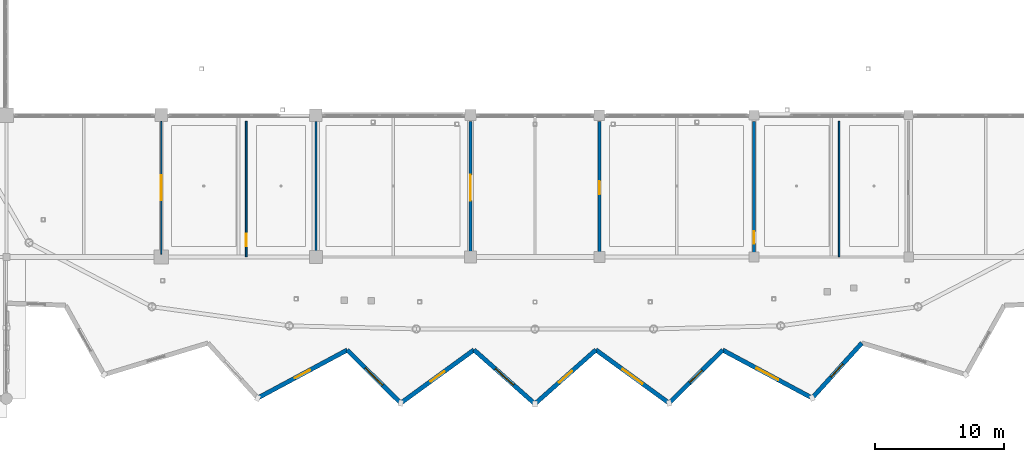
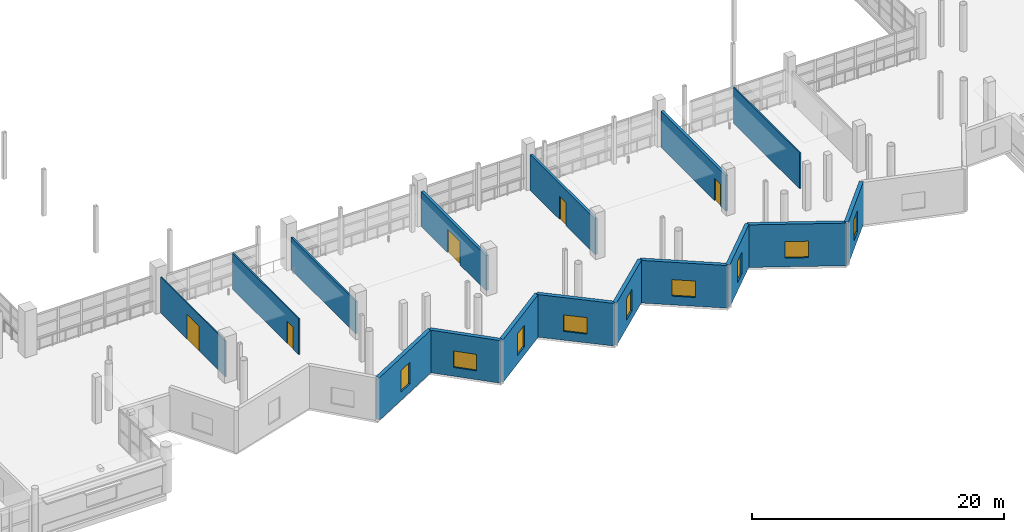
# One storey, part 82 of 118: 16 walls, 9 windows, 5 doors, 14 openings.
"""IFC4 building model written with IfcOpenShell, lengths in metres."""

from ifc_helpers import new_model, si_unit, direction, frame, frame_2d, origin, place, context, subcontext, project, spatial, rectangle, extrude, material, layer, layer_set, type_object, element, fill, save


model = new_model("IFC4")

# Units and contexts
model_context = context("Model", 3, precision=1e-05, world=origin(), true_north=direction((0.0, 1.0)))
body_context = subcontext(model_context, "Body", "Model", "MODEL_VIEW")
ifc_project = project(units=[si_unit("LENGTHUNIT", "METRE"), si_unit("AREAUNIT", "SQUARE_METRE"), si_unit("VOLUMEUNIT", "CUBIC_METRE"), si_unit("PLANEANGLEUNIT", "RADIAN"), si_unit("MASSUNIT", "GRAM", prefix="KILO")], contexts=[model_context])

# Site, building, storey
site_placement = place(None, origin())
site = spatial("IfcSite", under=ifc_project, at=site_placement, CompositionType="ELEMENT")
building_placement = place(site_placement, origin())
building = spatial("IfcBuilding", under=site, at=building_placement, Name="Luwafu Chhajja Arena", CompositionType="ELEMENT")
storey_placement = place(building_placement, frame((0.0, 0.0, 10.199951171875)))
storey = spatial("IfcBuildingStorey", under=building, at=storey_placement, Name="L02", CompositionType="ELEMENT", Elevation=10.199951171875)

# Wall
ifc_material_1 = material(Name="Moisture-resistant masonry blockwork", Category="masonry")
ifc_layer_1 = layer(ifc_material_1, 0.159912109375, Name="Moisture-resistant masonry blockwork")
ifc_layer_set_1 = layer_set([ifc_layer_1], Name="Moisture-resistant masonry blockwork")
wall_type_1 = type_object("IfcWallType", Name="Athlete Wet-Area Partition 160", PredefinedType="PARTITIONING", material=ifc_layer_set_1)
wall_1_placement = place(storey_placement, frame((82.0, 11.219970703125, 0.0), z_axis=(0.0, 0.0, 1.0), x_axis=(0.0, 1.0, 0.0)))
element("IfcWall", 1, at=wall_1_placement, inside=storey, type_object=wall_type_1, Name="L02 Internal Partition 0288", PredefinedType="PARTITIONING", context=body_context, shape_type="SweptSolid", body=[
    extrude(rectangle(XDim=10.300048828125, YDim=0.159912109375, at=frame_2d((5.14990234375, 0.0))), origin(), (0.0, 0.0, 1.0), 3.14013671875),
])

# Wall, opening, door
ifc_material_2 = material(Name="Concrete blockwork masonry", Category="masonry")
ifc_layer_2 = layer(ifc_material_2, 0.239990234375, Name="Concrete blockwork masonry")
ifc_layer_set_2 = layer_set([ifc_layer_2], Name="Concrete blockwork masonry")
wall_type_2 = type_object("IfcWallType", Name="Compartment Masonry Partition 240", PredefinedType="PARTITIONING", material=ifc_layer_set_2)
wall_2_placement = place(storey_placement, frame((94.0, 11.219970703125, 0.0), z_axis=(0.0, 0.0, 1.0), x_axis=(0.0, 1.0, 0.0)))
wall_2 = element("IfcWall", 2, at=wall_2_placement, inside=storey, type_object=wall_type_2, Name="L02 Internal Partition 0278", PredefinedType="PARTITIONING", context=body_context, shape_type="SweptSolid", body=[
    extrude(rectangle(XDim=10.300048828125, YDim=0.239990234375, at=frame_2d((5.14990234375, 0.0))), origin(), (0.0, 0.0, 1.0), 3.39013671875),
])
opening_1_placement = place(wall_2_placement, frame((4.14990234375, 0.0, 0.0)))
opening_1 = element("IfcOpeningElement", 3, at=opening_1_placement, cuts=wall_2, Name="Opening DR-08", PredefinedType="OPENING", context=body_context, shape_type="SweptSolid", body=[
    extrude(rectangle(XDim=2.0, YDim=2.25, at=frame_2d((1.0, 1.125))), frame((0.0, 0.1298828125, 0.0), z_axis=(0.0, -1.0, 0.0), x_axis=(1.0, 0.0, 0.0)), (0.0, 0.0, 1.0), 0.260009765625),
])
ifc_material_3 = material(Name="Fire-rated hardwood double leaf", Category="wood")
door_type_1 = type_object("IfcDoorType", Name="DR-08", OperationType="DOUBLE_DOOR_SINGLE_SWING", PredefinedType="DOOR", material=ifc_material_3)
door_1_placement = place(opening_1_placement, origin())
door_1 = element("IfcDoor", 4, at=door_1_placement, inside=storey, type_object=door_type_1, Name="L02 Interior Door L02-D036", OperationType="DOUBLE_DOOR_SINGLE_SWING", OverallHeight=2.25, OverallWidth=2.0, PredefinedType="DOOR", context=body_context, shape_type="SweptSolid", body=[
    extrude(rectangle(XDim=2.0, YDim=2.25, at=frame_2d((1.0, 1.125))), frame((0.0, 0.02490234375, 0.0), z_axis=(0.0, -1.0, 0.0), x_axis=(1.0, 0.0, 0.0)), (0.0, 0.0, 1.0), 0.050048828125),
])
fill(opening_1, door_1)

wall_3_placement = place(storey_placement, frame((116.0, 11.219970703125, 0.0), z_axis=(0.0, 0.0, 1.0), x_axis=(0.0, 1.0, 0.0)))
wall_3 = element("IfcWall", 5, at=wall_3_placement, inside=storey, type_object=wall_type_2, Name="L02 Internal Partition 0289", PredefinedType="PARTITIONING", context=body_context, shape_type="SweptSolid", body=[
    extrude(rectangle(XDim=10.300048828125, YDim=0.239990234375, at=frame_2d((5.14990234375, 0.0))), origin(), (0.0, 0.0, 1.0), 3.489990234375),
])
opening_2_placement = place(wall_3_placement, frame((0.8173828125, 0.0, 0.0)))
opening_2 = element("IfcOpeningElement", 6, at=opening_2_placement, cuts=wall_3, Name="Opening DR-17", PredefinedType="OPENING", context=body_context, shape_type="SweptSolid", body=[
    extrude(rectangle(XDim=0.93994140625, YDim=2.14990234375, at=frame_2d((0.469970703125, 1.074951171875))), frame((0.0, 0.1298828125, 0.0), z_axis=(0.0, -1.0, 0.0), x_axis=(1.0, 0.0, 0.0)), (0.0, 0.0, 1.0), 0.260009765625),
])
ifc_material_4 = material(Name="Acoustic steel-core timber door", Category="steel")
door_type_2 = type_object("IfcDoorType", Name="DR-17", OperationType="NOTDEFINED", PredefinedType="DOOR", material=ifc_material_4)
door_2_placement = place(opening_2_placement, origin())
door_2 = element("IfcDoor", 7, at=door_2_placement, inside=storey, type_object=door_type_2, Name="L02 Interior Door L02-D044", OperationType="SINGLE_SWING_RIGHT", OverallHeight=2.14990234375, OverallWidth=0.93994140625, PredefinedType="DOOR", context=body_context, shape_type="SweptSolid", body=[
    extrude(rectangle(XDim=0.93994140625, YDim=2.14990234375, at=frame_2d((0.469970703125, 1.074951171875))), frame((0.0, 0.02490234375, 0.0), z_axis=(0.0, -1.0, 0.0), x_axis=(1.0, 0.0, 0.0)), (0.0, 0.0, 1.0), 0.050048828125),
])
fill(opening_2, door_2)

ifc_material_5 = material(Name="Gypsum plasterboard partition")
ifc_layer_3 = layer(ifc_material_5, 0.10009765625, Name="Gypsum plasterboard partition")
ifc_layer_set_3 = layer_set([ifc_layer_3], Name="Gypsum plasterboard partition")
wall_type_3 = type_object("IfcWallType", Name="Drywall Lining Partition 100", PredefinedType="PARTITIONING", material=ifc_layer_set_3)
wall_4_placement = place(storey_placement, frame((70.0, 11.219970703125, 0.0), z_axis=(0.0, 0.0, 1.0), x_axis=(0.0, 1.0, 0.0)))
wall_4 = element("IfcWall", 8, at=wall_4_placement, inside=storey, type_object=wall_type_3, Name="L02 Internal Partition 0277", PredefinedType="PARTITIONING", context=body_context, shape_type="SweptSolid", body=[
    extrude(rectangle(XDim=10.300048828125, YDim=0.10009765625, at=frame_2d((5.14990234375, 0.0))), origin(), (0.0, 0.0, 1.0), 3.489990234375),
])
opening_3_placement = place(wall_4_placement, frame((4.175048828125, 0.0, 0.0)))
opening_3 = element("IfcOpeningElement", 9, at=opening_3_placement, cuts=wall_4, Name="Opening DR-25", PredefinedType="OPENING", context=body_context, shape_type="SweptSolid", body=[
    extrude(rectangle(XDim=1.949951171875, YDim=2.39990234375, at=frame_2d((0.97509765625, 1.199951171875))), frame((0.0, 0.06005859375, 0.0), z_axis=(0.0, -1.0, 0.0), x_axis=(1.0, 0.0, 0.0)), (0.0, 0.0, 1.0), 0.1201171875),
])
ifc_material_6 = material(Name="Anodised bronze glazed double door")
door_type_3 = type_object("IfcDoorType", Name="DR-25", OperationType="DOUBLE_DOOR_SINGLE_SWING", PredefinedType="DOOR", material=ifc_material_6)
door_3_placement = place(opening_3_placement, origin())
door_3 = element("IfcDoor", 10, at=door_3_placement, inside=storey, type_object=door_type_3, Name="L02 Interior Door L02-D035", OperationType="DOUBLE_DOOR_SINGLE_SWING", OverallHeight=2.39990234375, OverallWidth=1.949951171875, PredefinedType="DOOR", context=body_context, shape_type="SweptSolid", body=[
    extrude(rectangle(XDim=1.949951171875, YDim=2.39990234375, at=frame_2d((0.97509765625, 1.199951171875))), frame((0.0, 0.02490234375, 0.0), z_axis=(0.0, -1.0, 0.0), x_axis=(1.0, 0.0, 0.0)), (0.0, 0.0, 1.0), 0.050048828125),
])
fill(opening_3, door_3)

ifc_material_7 = material(Name="Acoustic metal-stud gypsum board")
ifc_layer_4 = layer(ifc_material_7, 0.1201171875, Name="Acoustic metal-stud gypsum board")
ifc_layer_set_4 = layer_set([ifc_layer_4], Name="Acoustic metal-stud gypsum board")
wall_type_4 = type_object("IfcWallType", Name="Internal Room Partition 120", PredefinedType="PARTITIONING", material=ifc_layer_set_4)
wall_5_placement = place(storey_placement, frame((76.60009765625, 11.0, 0.0), z_axis=(0.0, 0.0, 1.0), x_axis=(0.0, 1.0, 0.0)))
wall_5 = element("IfcWall", 11, at=wall_5_placement, inside=storey, type_object=wall_type_4, Name="L02 Internal Partition 0287", PredefinedType="PARTITIONING", context=body_context, shape_type="SweptSolid", body=[
    extrude(rectangle(XDim=10.52001953125, YDim=0.1201171875, at=frame_2d((5.260009765625, 0.0))), origin(), (0.0, 0.0, 1.0), 3.489990234375),
])
opening_4_placement = place(wall_5_placement, frame((0.8349609375, 0.0, 0.0)))
opening_4 = element("IfcOpeningElement", 12, at=opening_4_placement, cuts=wall_5, Name="Opening DR-22", PredefinedType="OPENING", context=body_context, shape_type="SweptSolid", body=[
    extrude(rectangle(XDim=0.9599609375, YDim=2.14990234375, at=frame_2d((0.47998046875, 1.074951171875))), frame((0.0, 0.070068359375, 0.0), z_axis=(0.0, -1.0, 0.0), x_axis=(1.0, 0.0, 0.0)), (0.0, 0.0, 1.0), 0.14013671875),
])
ifc_material_8 = material(Name="Hardwood flush office door", Category="wood")
door_type_4 = type_object("IfcDoorType", Name="DR-22", OperationType="NOTDEFINED", PredefinedType="DOOR", material=ifc_material_8)
door_4_placement = place(opening_4_placement, origin())
door_4 = element("IfcDoor", 13, at=door_4_placement, inside=storey, type_object=door_type_4, Name="L02 Interior Door L02-D043", OperationType="SINGLE_SWING_LEFT", OverallHeight=2.14990234375, OverallWidth=0.9599609375, PredefinedType="DOOR", context=body_context, shape_type="SweptSolid", body=[
    extrude(rectangle(XDim=0.9599609375, YDim=2.14990234375, at=frame_2d((0.47998046875, 1.074951171875))), frame((0.0, 0.02490234375, 0.0), z_axis=(0.0, -1.0, 0.0), x_axis=(1.0, 0.0, 0.0)), (0.0, 0.0, 1.0), 0.050048828125),
])
fill(opening_4, door_4)

# Wall
wall_6_placement = place(storey_placement, frame((122.60009765625, 11.0, 0.0), z_axis=(0.0, 0.0, 1.0), x_axis=(0.0, 1.0, 0.0)))
element("IfcWall", 14, at=wall_6_placement, inside=storey, type_object=wall_type_4, Name="L02 Internal Partition 0290", PredefinedType="PARTITIONING", context=body_context, shape_type="SweptSolid", body=[
    extrude(rectangle(XDim=10.52001953125, YDim=0.1201171875, at=frame_2d((5.260009765625, 0.0))), origin(), (0.0, 0.0, 1.0), 3.489990234375),
])

# Wall, opening, window
ifc_material_9 = material(Name="Precast concrete C40/50", Category="concrete")
ifc_layer_5 = layer(ifc_material_9, 0.340087890625, Name="Precast concrete C40/50")
ifc_layer_set_5 = layer_set([ifc_layer_5], Name="Precast concrete C40/50")
wall_type_5 = type_object("IfcWallType", Name="Pleated Bowl V-Fold Wall 340", PredefinedType="USERDEFINED", material=ifc_layer_set_5)
wall_7_placement = place(storey_placement, frame((77.489013671875, 0.051025390625, 0.0), z_axis=(0.0, 0.0, 1.0), x_axis=(0.881201188687, 0.472741435731, 0.0)))
wall_7 = element("IfcWall", 15, at=wall_7_placement, inside=storey, type_object=wall_type_5, Name="L02 Pleated Bowl V-Fold Wall 45", ObjectType="PLEATED FACADE WALL", PredefinedType="USERDEFINED", context=body_context, shape_type="SweptSolid", body=[
    extrude(rectangle(XDim=7.880859375, YDim=0.340087890625, at=frame_2d((3.9404296875, 0.0))), origin(), (0.0, 0.0, 1.0), 4.135009765625),
])
opening_5_placement = place(wall_7_placement, frame((3.265380859375, 0.0, 0.800048828125)))
opening_5 = element("IfcOpeningElement", 16, at=opening_5_placement, cuts=wall_7, Name="Opening WN-17", PredefinedType="OPENING", context=body_context, shape_type="SweptSolid", body=[
    extrude(rectangle(XDim=1.35009765625, YDim=2.10009765625, at=frame_2d((0.675048828125, 1.050048828125))), frame((0.0, 0.179931640625, 0.0), z_axis=(0.0, -1.0, 0.0), x_axis=(1.0, 0.0, 0.0)), (0.0, 0.0, 1.0), 0.360107421875),
])
ifc_material_10 = material(Name="Solar-control laminated glass", Category="glass")
window_type_1 = type_object("IfcWindowType", Name="Exhibition Mezzanine Lancet Window 1350x2100", PartitioningType="SINGLE_PANEL", PredefinedType="WINDOW", material=ifc_material_10)
window_1_placement = place(opening_5_placement, origin())
window_1 = element("IfcWindow", 17, at=window_1_placement, inside=storey, type_object=window_type_1, Name="L02 Pleated Bowl Lancet Window 023", OverallHeight=2.10009765625, OverallWidth=1.35009765625, PartitioningType="SINGLE_PANEL", PredefinedType="WINDOW", context=body_context, shape_type="SweptSolid", body=[
    extrude(rectangle(XDim=1.35009765625, YDim=2.10009765625, at=frame_2d((0.675048828125, 1.050048828125))), frame((0.0, 0.030029296875, 0.0), z_axis=(0.0, -1.0, 0.0), x_axis=(1.0, 0.0, 0.0)), (0.0, 0.0, 1.0), 0.06005859375),
])
fill(opening_5, window_1)

wall_8_placement = place(storey_placement, frame((84.43359375, 3.776611328125, 0.0), z_axis=(0.0, 0.0, 1.0), x_axis=(0.710084208502, -0.704116763638, 0.0)))
wall_8 = element("IfcWall", 18, at=wall_8_placement, inside=storey, type_object=wall_type_5, Name="L02 Pleated Bowl V-Fold Wall 46", ObjectType="PLEATED FACADE WALL", PredefinedType="USERDEFINED", context=body_context, shape_type="SweptSolid", body=[
    extrude(rectangle(XDim=5.850341796875, YDim=0.340087890625, at=frame_2d((2.92529296875, 0.0))), origin(), (0.0, 0.0, 1.0), 4.135009765625),
])
opening_6_placement = place(wall_8_placement, frame((1.97509765625, 0.0, 0.85009765625)))
opening_6 = element("IfcOpeningElement", 19, at=opening_6_placement, cuts=wall_8, Name="Opening WN-15", PredefinedType="OPENING", context=body_context, shape_type="SweptSolid", body=[
    extrude(rectangle(XDim=1.89990234375, YDim=1.60009765625, at=frame_2d((0.949951171875, 0.800048828125))), frame((0.0, 0.179931640625, 0.0), z_axis=(0.0, -1.0, 0.0), x_axis=(1.0, 0.0, 0.0)), (0.0, 0.0, 1.0), 0.360107421875),
])
window_type_2 = type_object("IfcWindowType", Name="Pleated Drum Inward-Fold Clerestory 1900x1600", PartitioningType="SINGLE_PANEL", PredefinedType="WINDOW", material=ifc_material_10)
window_2_placement = place(opening_6_placement, origin())
window_2 = element("IfcWindow", 20, at=window_2_placement, inside=storey, type_object=window_type_2, Name="L02 Pleated Bowl Lancet Window 024", OverallHeight=1.60009765625, OverallWidth=1.89990234375, PartitioningType="SINGLE_PANEL", PredefinedType="WINDOW", context=body_context, shape_type="SweptSolid", body=[
    extrude(rectangle(XDim=1.89990234375, YDim=1.60009765625, at=frame_2d((0.949951171875, 0.800048828125))), frame((0.0, 0.030029296875, 0.0), z_axis=(0.0, -1.0, 0.0), x_axis=(1.0, 0.0, 0.0)), (0.0, 0.0, 1.0), 0.06005859375),
])
fill(opening_6, window_2)

wall_9_placement = place(storey_placement, frame((88.587890625, -0.3427734375, 0.0), z_axis=(0.0, 0.0, 1.0), x_axis=(0.808841233488, 0.588027090371, 0.0)))
wall_9 = element("IfcWall", 21, at=wall_9_placement, inside=storey, type_object=wall_type_5, Name="L02 Pleated Bowl V-Fold Wall 47", ObjectType="PLEATED FACADE WALL", PredefinedType="USERDEFINED", context=body_context, shape_type="SweptSolid", body=[
    extrude(rectangle(XDim=7.02734375, YDim=0.340087890625, at=frame_2d((3.513671875, 0.0))), origin(), (0.0, 0.0, 1.0), 4.135009765625),
])
opening_7_placement = place(wall_9_placement, frame((2.838623046875, 0.0, 0.800048828125)))
opening_7 = element("IfcOpeningElement", 22, at=opening_7_placement, cuts=wall_9, Name="Opening WN-17", PredefinedType="OPENING", context=body_context, shape_type="SweptSolid", body=[
    extrude(rectangle(XDim=1.35009765625, YDim=2.10009765625, at=frame_2d((0.675048828125, 1.050048828125))), frame((0.0, 0.179931640625, 0.0), z_axis=(0.0, -1.0, 0.0), x_axis=(1.0, 0.0, 0.0)), (0.0, 0.0, 1.0), 0.360107421875),
])
window_3_placement = place(opening_7_placement, origin())
window_3 = element("IfcWindow", 23, at=window_3_placement, inside=storey, type_object=window_type_1, Name="L02 Pleated Bowl Lancet Window 025", OverallHeight=2.10009765625, OverallWidth=1.35009765625, PartitioningType="SINGLE_PANEL", PredefinedType="WINDOW", context=body_context, shape_type="SweptSolid", body=[
    extrude(rectangle(XDim=1.35009765625, YDim=2.10009765625, at=frame_2d((0.675048828125, 1.050048828125))), frame((0.0, 0.030029296875, 0.0), z_axis=(0.0, -1.0, 0.0), x_axis=(1.0, 0.0, 0.0)), (0.0, 0.0, 1.0), 0.06005859375),
])
fill(opening_7, window_3)

wall_10_placement = place(storey_placement, frame((94.27197265625, 3.78955078125, 0.0), z_axis=(0.0, 0.0, 1.0), x_axis=(0.74844895461, -0.663192402205, 0.0)))
wall_10 = element("IfcWall", 24, at=wall_10_placement, inside=storey, type_object=wall_type_5, Name="L02 Pleated Bowl V-Fold Wall 48", ObjectType="PLEATED FACADE WALL", PredefinedType="USERDEFINED", context=body_context, shape_type="SweptSolid", body=[
    extrude(rectangle(XDim=6.317138671875, YDim=0.340087890625, at=frame_2d((3.15869140625, 0.0))), origin(), (0.0, 0.0, 1.0), 4.135009765625),
])
opening_8_placement = place(wall_10_placement, frame((2.20849609375, 0.0, 0.85009765625)))
opening_8 = element("IfcOpeningElement", 25, at=opening_8_placement, cuts=wall_10, Name="Opening WN-15", PredefinedType="OPENING", context=body_context, shape_type="SweptSolid", body=[
    extrude(rectangle(XDim=1.89990234375, YDim=1.60009765625, at=frame_2d((0.949951171875, 0.800048828125))), frame((0.0, 0.179931640625, 0.0), z_axis=(0.0, -1.0, 0.0), x_axis=(1.0, 0.0, 0.0)), (0.0, 0.0, 1.0), 0.360107421875),
])
window_4_placement = place(opening_8_placement, origin())
window_4 = element("IfcWindow", 26, at=window_4_placement, inside=storey, type_object=window_type_2, Name="L02 Pleated Bowl Lancet Window 026", OverallHeight=1.60009765625, OverallWidth=1.89990234375, PartitioningType="SINGLE_PANEL", PredefinedType="WINDOW", context=body_context, shape_type="SweptSolid", body=[
    extrude(rectangle(XDim=1.89990234375, YDim=1.60009765625, at=frame_2d((0.949951171875, 0.800048828125))), frame((0.0, 0.030029296875, 0.0), z_axis=(0.0, -1.0, 0.0), x_axis=(1.0, 0.0, 0.0)), (0.0, 0.0, 1.0), 0.06005859375),
])
fill(opening_8, window_4)

wall_11_placement = place(storey_placement, frame((99.0, -0.39990234375, 0.0), z_axis=(0.0, 0.0, 1.0), x_axis=(0.74844895461, 0.663192402205, 0.0)))
wall_11 = element("IfcWall", 27, at=wall_11_placement, inside=storey, type_object=wall_type_5, Name="L02 Pleated Bowl V-Fold Wall 49", ObjectType="PLEATED FACADE WALL", PredefinedType="USERDEFINED", context=body_context, shape_type="SweptSolid", body=[
    extrude(rectangle(XDim=6.317138671875, YDim=0.340087890625, at=frame_2d((3.15869140625, 0.0))), origin(), (0.0, 0.0, 1.0), 4.135009765625),
])
opening_9_placement = place(wall_11_placement, frame((2.483642578125, 0.0, 0.800048828125)))
opening_9 = element("IfcOpeningElement", 28, at=opening_9_placement, cuts=wall_11, Name="Opening WN-17", PredefinedType="OPENING", context=body_context, shape_type="SweptSolid", body=[
    extrude(rectangle(XDim=1.35009765625, YDim=2.10009765625, at=frame_2d((0.675048828125, 1.050048828125))), frame((0.0, 0.179931640625, 0.0), z_axis=(0.0, -1.0, 0.0), x_axis=(1.0, 0.0, 0.0)), (0.0, 0.0, 1.0), 0.360107421875),
])
window_5_placement = place(opening_9_placement, origin())
window_5 = element("IfcWindow", 29, at=window_5_placement, inside=storey, type_object=window_type_1, Name="L02 Pleated Bowl Lancet Window 027", OverallHeight=2.10009765625, OverallWidth=1.35009765625, PartitioningType="SINGLE_PANEL", PredefinedType="WINDOW", context=body_context, shape_type="SweptSolid", body=[
    extrude(rectangle(XDim=1.35009765625, YDim=2.10009765625, at=frame_2d((0.675048828125, 1.050048828125))), frame((0.0, 0.030029296875, 0.0), z_axis=(0.0, -1.0, 0.0), x_axis=(1.0, 0.0, 0.0)), (0.0, 0.0, 1.0), 0.06005859375),
])
fill(opening_9, window_5)

wall_12_placement = place(storey_placement, frame((103.72802734375, 3.78955078125, 0.0), z_axis=(0.0, 0.0, 1.0), x_axis=(0.808841233488, -0.588027090371, 0.0)))
wall_12 = element("IfcWall", 30, at=wall_12_placement, inside=storey, type_object=wall_type_5, Name="L02 Pleated Bowl V-Fold Wall 50", ObjectType="PLEATED FACADE WALL", PredefinedType="USERDEFINED", context=body_context, shape_type="SweptSolid", body=[
    extrude(rectangle(XDim=7.02734375, YDim=0.340087890625, at=frame_2d((3.513671875, 0.0))), origin(), (0.0, 0.0, 1.0), 4.135009765625),
])
opening_10_placement = place(wall_12_placement, frame((2.563720703125, 0.0, 0.85009765625)))
opening_10 = element("IfcOpeningElement", 31, at=opening_10_placement, cuts=wall_12, Name="Opening WN-15", PredefinedType="OPENING", context=body_context, shape_type="SweptSolid", body=[
    extrude(rectangle(XDim=1.89990234375, YDim=1.60009765625, at=frame_2d((0.949951171875, 0.800048828125))), frame((0.0, 0.179931640625, 0.0), z_axis=(0.0, -1.0, 0.0), x_axis=(1.0, 0.0, 0.0)), (0.0, 0.0, 1.0), 0.360107421875),
])
window_6_placement = place(opening_10_placement, origin())
window_6 = element("IfcWindow", 32, at=window_6_placement, inside=storey, type_object=window_type_2, Name="L02 Pleated Bowl Lancet Window 028", OverallHeight=1.60009765625, OverallWidth=1.89990234375, PartitioningType="SINGLE_PANEL", PredefinedType="WINDOW", context=body_context, shape_type="SweptSolid", body=[
    extrude(rectangle(XDim=1.89990234375, YDim=1.60009765625, at=frame_2d((0.949951171875, 0.800048828125))), frame((0.0, 0.030029296875, 0.0), z_axis=(0.0, -1.0, 0.0), x_axis=(1.0, 0.0, 0.0)), (0.0, 0.0, 1.0), 0.06005859375),
])
fill(opening_10, window_6)

wall_13_placement = place(storey_placement, frame((109.412109375, -0.3427734375, 0.0), z_axis=(0.0, 0.0, 1.0), x_axis=(0.710084208502, 0.704116763638, 0.0)))
wall_13 = element("IfcWall", 33, at=wall_13_placement, inside=storey, type_object=wall_type_5, Name="L02 Pleated Bowl V-Fold Wall 51", ObjectType="PLEATED FACADE WALL", PredefinedType="USERDEFINED", context=body_context, shape_type="SweptSolid", body=[
    extrude(rectangle(XDim=5.850341796875, YDim=0.340087890625, at=frame_2d((2.92529296875, 0.0))), origin(), (0.0, 0.0, 1.0), 4.135009765625),
])
opening_11_placement = place(wall_13_placement, frame((2.250244140625, 0.0, 0.800048828125)))
opening_11 = element("IfcOpeningElement", 34, at=opening_11_placement, cuts=wall_13, Name="Opening WN-17", PredefinedType="OPENING", context=body_context, shape_type="SweptSolid", body=[
    extrude(rectangle(XDim=1.35009765625, YDim=2.10009765625, at=frame_2d((0.675048828125, 1.050048828125))), frame((0.0, 0.179931640625, 0.0), z_axis=(0.0, -1.0, 0.0), x_axis=(1.0, 0.0, 0.0)), (0.0, 0.0, 1.0), 0.360107421875),
])
window_7_placement = place(opening_11_placement, origin())
window_7 = element("IfcWindow", 35, at=window_7_placement, inside=storey, type_object=window_type_1, Name="L02 Pleated Bowl Lancet Window 029", OverallHeight=2.10009765625, OverallWidth=1.35009765625, PartitioningType="SINGLE_PANEL", PredefinedType="WINDOW", context=body_context, shape_type="SweptSolid", body=[
    extrude(rectangle(XDim=1.35009765625, YDim=2.10009765625, at=frame_2d((0.675048828125, 1.050048828125))), frame((0.0, 0.030029296875, 0.0), z_axis=(0.0, -1.0, 0.0), x_axis=(1.0, 0.0, 0.0)), (0.0, 0.0, 1.0), 0.06005859375),
])
fill(opening_11, window_7)

wall_14_placement = place(storey_placement, frame((113.56640625, 3.776611328125, 0.0), z_axis=(0.0, 0.0, 1.0), x_axis=(0.881201188687, -0.472741435731, 0.0)))
wall_14 = element("IfcWall", 36, at=wall_14_placement, inside=storey, type_object=wall_type_5, Name="L02 Pleated Bowl V-Fold Wall 52", ObjectType="PLEATED FACADE WALL", PredefinedType="USERDEFINED", context=body_context, shape_type="SweptSolid", body=[
    extrude(rectangle(XDim=7.880859375, YDim=0.340087890625, at=frame_2d((3.9404296875, 0.0))), origin(), (0.0, 0.0, 1.0), 4.135009765625),
])
opening_12_placement = place(wall_14_placement, frame((2.990234375, 0.0, 0.85009765625)))
opening_12 = element("IfcOpeningElement", 37, at=opening_12_placement, cuts=wall_14, Name="Opening WN-15", PredefinedType="OPENING", context=body_context, shape_type="SweptSolid", body=[
    extrude(rectangle(XDim=1.89990234375, YDim=1.60009765625, at=frame_2d((0.949951171875, 0.800048828125))), frame((0.0, 0.179931640625, 0.0), z_axis=(0.0, -1.0, 0.0), x_axis=(1.0, 0.0, 0.0)), (0.0, 0.0, 1.0), 0.360107421875),
])
window_8_placement = place(opening_12_placement, origin())
window_8 = element("IfcWindow", 38, at=window_8_placement, inside=storey, type_object=window_type_2, Name="L02 Pleated Bowl Lancet Window 030", OverallHeight=1.60009765625, OverallWidth=1.89990234375, PartitioningType="SINGLE_PANEL", PredefinedType="WINDOW", context=body_context, shape_type="SweptSolid", body=[
    extrude(rectangle(XDim=1.89990234375, YDim=1.60009765625, at=frame_2d((0.949951171875, 0.800048828125))), frame((0.0, 0.030029296875, 0.0), z_axis=(0.0, -1.0, 0.0), x_axis=(1.0, 0.0, 0.0)), (0.0, 0.0, 1.0), 0.06005859375),
])
fill(opening_12, window_8)

wall_15_placement = place(storey_placement, frame((120.510986328125, 0.051025390625, 0.0), z_axis=(0.0, 0.0, 1.0), x_axis=(0.670348131104, 0.742046752654, 0.0)))
wall_15 = element("IfcWall", 39, at=wall_15_placement, inside=storey, type_object=wall_type_5, Name="L02 Pleated Bowl V-Fold Wall 53", ObjectType="PLEATED FACADE WALL", PredefinedType="USERDEFINED", context=body_context, shape_type="SweptSolid", body=[
    extrude(rectangle(XDim=5.747802734375, YDim=0.340087890625, at=frame_2d((2.8740234375, 0.0))), origin(), (0.0, 0.0, 1.0), 4.135009765625),
])
opening_13_placement = place(wall_15_placement, frame((2.198974609375, 0.0, 0.800048828125)))
opening_13 = element("IfcOpeningElement", 40, at=opening_13_placement, cuts=wall_15, Name="Opening WN-17", PredefinedType="OPENING", context=body_context, shape_type="SweptSolid", body=[
    extrude(rectangle(XDim=1.35009765625, YDim=2.10009765625, at=frame_2d((0.675048828125, 1.050048828125))), frame((0.0, 0.179931640625, 0.0), z_axis=(0.0, -1.0, 0.0), x_axis=(1.0, 0.0, 0.0)), (0.0, 0.0, 1.0), 0.360107421875),
])
window_9_placement = place(opening_13_placement, origin())
window_9 = element("IfcWindow", 41, at=window_9_placement, inside=storey, type_object=window_type_1, Name="L02 Pleated Bowl Lancet Window 031", OverallHeight=2.10009765625, OverallWidth=1.35009765625, PartitioningType="SINGLE_PANEL", PredefinedType="WINDOW", context=body_context, shape_type="SweptSolid", body=[
    extrude(rectangle(XDim=1.35009765625, YDim=2.10009765625, at=frame_2d((0.675048828125, 1.050048828125))), frame((0.0, 0.030029296875, 0.0), z_axis=(0.0, -1.0, 0.0), x_axis=(1.0, 0.0, 0.0)), (0.0, 0.0, 1.0), 0.06005859375),
])
fill(opening_13, window_9)

# Wall, opening, door
ifc_layer_6 = layer(ifc_material_2, 0.219970703125, Name="Concrete blockwork masonry")
ifc_layer_set_6 = layer_set([ifc_layer_6], Name="Concrete blockwork masonry")
wall_type_6 = type_object("IfcWallType", Name="Protected Corridor Partition 220", PredefinedType="PARTITIONING", material=ifc_layer_set_6)
wall_16_placement = place(storey_placement, frame((104.0, 11.219970703125, 0.0), z_axis=(0.0, 0.0, 1.0), x_axis=(0.0, 1.0, 0.0)))
wall_16 = element("IfcWall", 42, at=wall_16_placement, inside=storey, type_object=wall_type_6, Name="L02 Internal Partition 0279", PredefinedType="PARTITIONING", context=body_context, shape_type="SweptSolid", body=[
    extrude(rectangle(XDim=10.300048828125, YDim=0.219970703125, at=frame_2d((5.14990234375, 0.0))), origin(), (0.0, 0.0, 1.0), 3.469970703125),
])
opening_14_placement = place(wall_16_placement, frame((4.639892578125, 0.0, 0.0)))
opening_14 = element("IfcOpeningElement", 43, at=opening_14_placement, cuts=wall_16, Name="Opening DR-13", PredefinedType="OPENING", context=body_context, shape_type="SweptSolid", body=[
    extrude(rectangle(XDim=1.02001953125, YDim=2.25, at=frame_2d((0.510009765625, 1.125))), frame((0.0, 0.119873046875, 0.0), z_axis=(0.0, -1.0, 0.0), x_axis=(1.0, 0.0, 0.0)), (0.0, 0.0, 1.0), 0.239990234375),
])
ifc_material_11 = material(Name="Veneered hardwood acoustic leaf", Category="wood")
door_type_5 = type_object("IfcDoorType", Name="DR-13", OperationType="NOTDEFINED", PredefinedType="DOOR", material=ifc_material_11)
door_5_placement = place(opening_14_placement, origin())
door_5 = element("IfcDoor", 44, at=door_5_placement, inside=storey, type_object=door_type_5, Name="L02 Interior Door L02-D037", OperationType="SINGLE_SWING_RIGHT", OverallHeight=2.25, OverallWidth=1.02001953125, PredefinedType="DOOR", context=body_context, shape_type="SweptSolid", body=[
    extrude(rectangle(XDim=1.02001953125, YDim=2.25, at=frame_2d((0.510009765625, 1.125))), frame((0.0, 0.02490234375, 0.0), z_axis=(0.0, -1.0, 0.0), x_axis=(1.0, 0.0, 0.0)), (0.0, 0.0, 1.0), 0.050048828125),
])
fill(opening_14, door_5)

save(model, "model.ifc")
